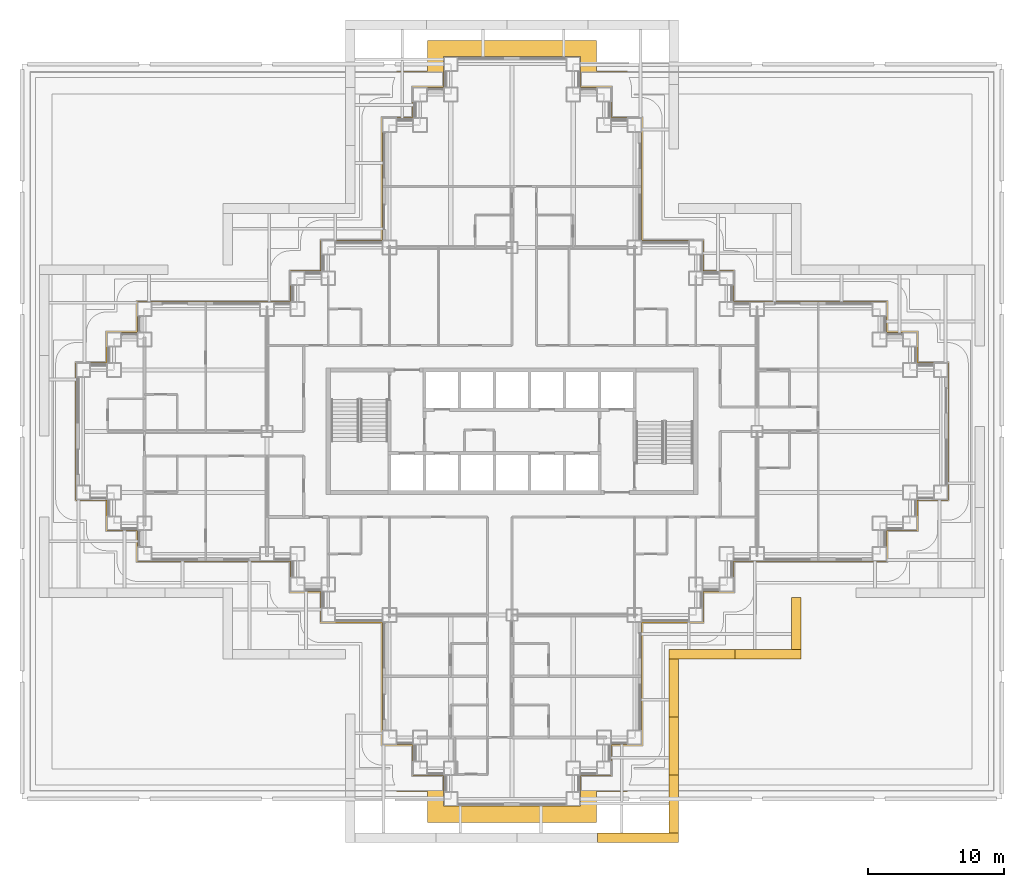
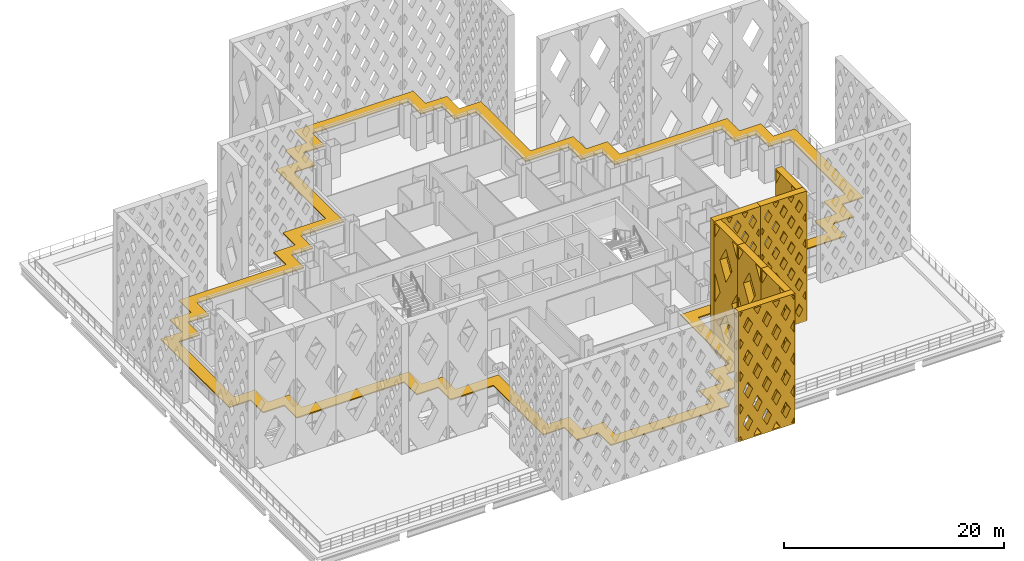
# One storey, part 19 of 26: 8 shading devices.
"""IFC4 building model written with IfcOpenShell, lengths in metres."""

from ifc_helpers import new_model, si_unit, direction, frame, origin, place, context, subcontext, project, spatial, polyline, outline, extrude, material, layer, layer_set, type_object, element, save


model = new_model("IFC4")

# Units and contexts
model_context = context("Model", 3, precision=1e-05, world=origin(), true_north=direction((0.0, 1.0)))
body_context = subcontext(model_context, "Body", "Model", "MODEL_VIEW")
ifc_project = project(units=[si_unit("LENGTHUNIT", "METRE"), si_unit("AREAUNIT", "SQUARE_METRE"), si_unit("VOLUMEUNIT", "CUBIC_METRE"), si_unit("PLANEANGLEUNIT", "RADIAN"), si_unit("MASSUNIT", "GRAM", prefix="KILO")], contexts=[model_context])

# Site, building, storey
site_placement = place(None, origin())
site = spatial("IfcSite", under=ifc_project, at=site_placement, CompositionType="ELEMENT")
building_placement = place(site_placement, origin())
building = spatial("IfcBuilding", under=site, at=building_placement, Name="Caravel Reach Hotel and Residences", CompositionType="ELEMENT")
storey_placement = place(building_placement, frame((0.0, 0.0, 33.60009765625)))
storey = spatial("IfcBuildingStorey", under=building, at=storey_placement, Name="L06", CompositionType="ELEMENT", Elevation=33.60009765625)

# Shading devices
ifc_material_1 = material(Name="Black powder-coated aluminium", Category="aluminium")
shading_device_type_1 = type_object("IfcShadingDeviceType", Name="Diamond lattice screen panel 3800 x 14400", PredefinedType="USERDEFINED", material=ifc_material_1)
shading_device_1_placement = place(storey_placement, frame((52.02490234375, 10.97509765625, 0.0), z_axis=(1.0, 0.0, 0.0), x_axis=(0.0, 1.0, 0.0)))
element("IfcShadingDevice", 1, at=shading_device_1_placement, inside=storey, type_object=shading_device_type_1, Name="Lattice screen L06-L09 5.1", ObjectType="SCREEN", PredefinedType="USERDEFINED", context=body_context, shape_type="SweptSolid", body=[
    extrude(outline(polyline([(0.0, 0.0), (3.800048828125, 0.0), (3.800048828125, 14.39990234375), (0.0, 14.39990234375), (0.0, 0.0)]), holes=[polyline([(0.9013671875, 0.14990234375), (0.14990234375, 1.573486328125), (0.14990234375, 0.14990234375), (0.9013671875, 0.14990234375)]), polyline([(0.98046875, 7.199951171875), (0.14990234375, 8.7734375), (0.14990234375, 5.62646484375), (0.98046875, 7.199951171875)]), polyline([(0.14990234375, 12.826416015625), (0.9013671875, 14.25), (0.14990234375, 14.25), (0.14990234375, 12.826416015625)]), polyline([(1.89990234375, 5.457763671875), (0.91943359375, 3.60009765625), (1.89990234375, 1.7421875), (2.88037109375, 3.60009765625), (1.89990234375, 5.457763671875)]), polyline([(1.89990234375, 12.65771484375), (0.91943359375, 10.800048828125), (1.89990234375, 8.9423828125), (2.88037109375, 10.800048828125), (1.89990234375, 12.65771484375)]), polyline([(3.64990234375, 1.573486328125), (2.898681640625, 0.14990234375), (3.64990234375, 0.14990234375), (3.64990234375, 1.573486328125)]), polyline([(2.819580078125, 7.199951171875), (3.64990234375, 5.62646484375), (3.64990234375, 8.7734375), (2.819580078125, 7.199951171875)]), polyline([(2.898681640625, 14.25), (3.64990234375, 12.826416015625), (3.64990234375, 14.25), (2.898681640625, 14.25)])]), origin(), (0.0, 0.0, 1.0), 0.7001953125),
])
ifc_material_2 = material(Name="Black powder-coated aluminium", Category="aluminium")
shading_device_type_2 = type_object("IfcShadingDeviceType", Name="Diamond lattice screen panel 4267 x 14400", PredefinedType="USERDEFINED", material=ifc_material_2)
for number, where, z_axis, x_axis, name in (
    (2, (43.02490234375, -2.52490234375, 0.0), (1.0, 0.0, 0.0), (0.0, 1.0, 0.0), "Lattice screen L06-L09 3.1"),
    (3, (43.02490234375, 1.74169921875, 0.0), (1.0, 0.0, 0.0), (0.0, 1.0, 0.0), "Lattice screen L06-L09 3.2"),
    (4, (43.02490234375, 6.00830078125, 0.0), (1.0, 0.0, 0.0), (0.0, 1.0, 0.0), "Lattice screen L06-L09 3.3"),
):
    element("IfcShadingDevice", number, at=place(storey_placement, frame(where, z_axis=z_axis, x_axis=x_axis)), inside=storey, type_object=shading_device_type_2, Name=name, ObjectType="SCREEN", PredefinedType="USERDEFINED", context=body_context, shape_type="SweptSolid", body=[
        extrude(outline(polyline([(0.0, 0.0), (4.2666015625, 0.0), (4.2666015625, 14.39990234375), (0.0, 14.39990234375), (0.0, 0.0)]), holes=[polyline([(1.003662109375, 0.14990234375), (0.14990234375, 1.590576171875), (0.14990234375, 0.14990234375), (1.003662109375, 0.14990234375)]), polyline([(1.092529296875, 7.199951171875), (0.14990234375, 8.790771484375), (0.14990234375, 5.609375), (1.092529296875, 7.199951171875)]), polyline([(0.14990234375, 12.809326171875), (1.003662109375, 14.25), (0.14990234375, 14.25), (0.14990234375, 12.809326171875)]), polyline([(2.13330078125, 5.44384765625), (1.040771484375, 3.60009765625), (2.13330078125, 1.756103515625), (3.225830078125, 3.60009765625), (2.13330078125, 5.44384765625)]), polyline([(2.13330078125, 12.643798828125), (1.040771484375, 10.800048828125), (2.13330078125, 8.956298828125), (3.225830078125, 10.800048828125), (2.13330078125, 12.643798828125)]), polyline([(4.11669921875, 1.590576171875), (3.262939453125, 0.14990234375), (4.11669921875, 0.14990234375), (4.11669921875, 1.590576171875)]), polyline([(3.174072265625, 7.199951171875), (4.11669921875, 5.609375), (4.11669921875, 8.790771484375), (3.174072265625, 7.199951171875)]), polyline([(3.262939453125, 14.25), (4.11669921875, 12.809326171875), (4.11669921875, 14.25), (3.262939453125, 14.25)])]), origin(), (0.0, 0.0, 1.0), 0.7001953125),
    ])
ifc_material_3 = material(Name="Black powder-coated aluminium", Category="aluminium")
shading_device_type_3 = type_object("IfcShadingDeviceType", Name="Diamond lattice screen panel 4850 x 14400", PredefinedType="USERDEFINED", material=ifc_material_3)
shading_device_2_placement = place(storey_placement, frame((43.02490234375, 10.97509765625, 0.0), z_axis=(0.0, -1.0, 0.0), x_axis=(1.0, 0.0, 0.0)))
element("IfcShadingDevice", 5, at=shading_device_2_placement, inside=storey, type_object=shading_device_type_3, Name="Lattice screen L06-L09 4.1", ObjectType="SCREEN", PredefinedType="USERDEFINED", context=body_context, shape_type="SweptSolid", body=[
    extrude(outline(polyline([(0.0, 0.0), (4.85009765625, 0.0), (4.85009765625, 14.39990234375), (0.0, 14.39990234375), (0.0, 0.0)]), holes=[polyline([(0.408447265625, 2.8798828125), (0.14990234375, 3.34033203125), (0.14990234375, 2.419677734375), (0.408447265625, 2.8798828125)]), polyline([(0.408447265625, 5.760009765625), (0.14990234375, 6.22021484375), (0.14990234375, 5.2998046875), (0.408447265625, 5.760009765625)]), polyline([(0.408447265625, 8.639892578125), (0.14990234375, 9.100341796875), (0.14990234375, 8.1796875), (0.408447265625, 8.639892578125)]), polyline([(0.408447265625, 11.52001953125), (0.14990234375, 11.980224609375), (0.14990234375, 11.059814453125), (0.408447265625, 11.52001953125)]), polyline([(0.808349609375, 2.16748046875), (0.39990234375, 1.43994140625), (0.808349609375, 0.712646484375), (1.216796875, 1.43994140625), (0.808349609375, 2.16748046875)]), polyline([(0.808349609375, 5.04736328125), (0.39990234375, 4.320068359375), (0.808349609375, 3.592529296875), (1.216796875, 4.320068359375), (0.808349609375, 5.04736328125)]), polyline([(0.808349609375, 7.927490234375), (0.39990234375, 7.199951171875), (0.808349609375, 6.47265625), (1.216796875, 7.199951171875), (0.808349609375, 7.927490234375)]), polyline([(0.808349609375, 10.807373046875), (0.39990234375, 10.080078125), (0.808349609375, 9.3525390625), (1.216796875, 10.080078125), (0.808349609375, 10.807373046875)]), polyline([(0.808349609375, 13.6875), (0.39990234375, 12.9599609375), (0.808349609375, 12.232421875), (1.216796875, 12.9599609375), (0.808349609375, 13.6875)]), polyline([(1.61669921875, 0.7275390625), (1.29248046875, 0.14990234375), (1.94091796875, 0.14990234375), (1.61669921875, 0.7275390625)]), polyline([(1.61669921875, 3.607421875), (1.208251953125, 2.8798828125), (1.61669921875, 2.152587890625), (2.02490234375, 2.8798828125), (1.61669921875, 3.607421875)]), polyline([(1.61669921875, 6.487548828125), (1.208251953125, 5.760009765625), (1.61669921875, 5.032470703125), (2.02490234375, 5.760009765625), (1.61669921875, 6.487548828125)]), polyline([(1.61669921875, 9.367431640625), (1.208251953125, 8.639892578125), (1.61669921875, 7.91259765625), (2.02490234375, 8.639892578125), (1.61669921875, 9.367431640625)]), polyline([(1.61669921875, 12.24755859375), (1.208251953125, 11.52001953125), (1.61669921875, 10.79248046875), (2.02490234375, 11.52001953125), (1.61669921875, 12.24755859375)]), polyline([(1.61669921875, 13.672607421875), (1.94091796875, 14.25), (1.29248046875, 14.25), (1.61669921875, 13.672607421875)]), polyline([(2.425048828125, 2.16748046875), (2.0166015625, 1.43994140625), (2.425048828125, 0.712646484375), (2.833251953125, 1.43994140625), (2.425048828125, 2.16748046875)]), polyline([(2.425048828125, 5.04736328125), (2.0166015625, 4.320068359375), (2.425048828125, 3.592529296875), (2.833251953125, 4.320068359375), (2.425048828125, 5.04736328125)]), polyline([(2.425048828125, 7.927490234375), (2.0166015625, 7.199951171875), (2.425048828125, 6.47265625), (2.833251953125, 7.199951171875), (2.425048828125, 7.927490234375)]), polyline([(2.425048828125, 10.807373046875), (2.0166015625, 10.080078125), (2.425048828125, 9.3525390625), (2.833251953125, 10.080078125), (2.425048828125, 10.807373046875)]), polyline([(2.425048828125, 13.6875), (2.0166015625, 12.9599609375), (2.425048828125, 12.232421875), (2.833251953125, 12.9599609375), (2.425048828125, 13.6875)]), polyline([(3.2333984375, 0.7275390625), (2.9091796875, 0.14990234375), (3.557373046875, 0.14990234375), (3.2333984375, 0.7275390625)]), polyline([(3.2333984375, 3.607421875), (2.824951171875, 2.8798828125), (3.2333984375, 2.152587890625), (3.6416015625, 2.8798828125), (3.2333984375, 3.607421875)]), polyline([(3.2333984375, 6.487548828125), (2.824951171875, 5.760009765625), (3.2333984375, 5.032470703125), (3.6416015625, 5.760009765625), (3.2333984375, 6.487548828125)]), polyline([(3.2333984375, 9.367431640625), (2.824951171875, 8.639892578125), (3.2333984375, 7.91259765625), (3.6416015625, 8.639892578125), (3.2333984375, 9.367431640625)]), polyline([(3.2333984375, 12.24755859375), (2.824951171875, 11.52001953125), (3.2333984375, 10.79248046875), (3.6416015625, 11.52001953125), (3.2333984375, 12.24755859375)]), polyline([(3.2333984375, 13.672607421875), (3.557373046875, 14.25), (2.9091796875, 14.25), (3.2333984375, 13.672607421875)]), polyline([(4.041748046875, 2.16748046875), (3.63330078125, 1.43994140625), (4.041748046875, 0.712646484375), (4.449951171875, 1.43994140625), (4.041748046875, 2.16748046875)]), polyline([(4.041748046875, 5.04736328125), (3.63330078125, 4.320068359375), (4.041748046875, 3.592529296875), (4.449951171875, 4.320068359375), (4.041748046875, 5.04736328125)]), polyline([(4.041748046875, 7.927490234375), (3.63330078125, 7.199951171875), (4.041748046875, 6.47265625), (4.449951171875, 7.199951171875), (4.041748046875, 7.927490234375)]), polyline([(4.041748046875, 10.807373046875), (3.63330078125, 10.080078125), (4.041748046875, 9.3525390625), (4.449951171875, 10.080078125), (4.041748046875, 10.807373046875)]), polyline([(4.041748046875, 13.6875), (3.63330078125, 12.9599609375), (4.041748046875, 12.232421875), (4.449951171875, 12.9599609375), (4.041748046875, 13.6875)]), polyline([(4.441650390625, 2.8798828125), (4.699951171875, 2.419677734375), (4.699951171875, 3.34033203125), (4.441650390625, 2.8798828125)]), polyline([(4.441650390625, 5.760009765625), (4.699951171875, 5.2998046875), (4.699951171875, 6.22021484375), (4.441650390625, 5.760009765625)]), polyline([(4.441650390625, 8.639892578125), (4.699951171875, 8.1796875), (4.699951171875, 9.100341796875), (4.441650390625, 8.639892578125)]), polyline([(4.441650390625, 11.52001953125), (4.699951171875, 11.059814453125), (4.699951171875, 11.980224609375), (4.441650390625, 11.52001953125)])]), origin(), (0.0, 0.0, 1.0), 0.7001953125),
])
shading_device_3_placement = place(storey_placement, frame((47.875, 10.97509765625, 0.0), z_axis=(0.0, -1.0, 0.0), x_axis=(1.0, 0.0, 0.0)))
element("IfcShadingDevice", 6, at=shading_device_3_placement, inside=storey, type_object=shading_device_type_3, Name="Lattice screen L06-L09 4.2", ObjectType="SCREEN", PredefinedType="USERDEFINED", context=body_context, shape_type="SweptSolid", body=[
    extrude(outline(polyline([(0.0, 0.0), (4.85009765625, 0.0), (4.85009765625, 14.39990234375), (0.0, 14.39990234375), (0.0, 0.0)]), holes=[polyline([(0.408447265625, 2.8798828125), (0.14990234375, 3.34033203125), (0.14990234375, 2.419677734375), (0.408447265625, 2.8798828125)]), polyline([(0.408447265625, 5.760009765625), (0.14990234375, 6.22021484375), (0.14990234375, 5.2998046875), (0.408447265625, 5.760009765625)]), polyline([(0.408447265625, 8.639892578125), (0.14990234375, 9.100341796875), (0.14990234375, 8.1796875), (0.408447265625, 8.639892578125)]), polyline([(0.408447265625, 11.52001953125), (0.14990234375, 11.980224609375), (0.14990234375, 11.059814453125), (0.408447265625, 11.52001953125)]), polyline([(0.808349609375, 2.16748046875), (0.39990234375, 1.43994140625), (0.808349609375, 0.712646484375), (1.216796875, 1.43994140625), (0.808349609375, 2.16748046875)]), polyline([(0.808349609375, 5.04736328125), (0.39990234375, 4.320068359375), (0.808349609375, 3.592529296875), (1.216796875, 4.320068359375), (0.808349609375, 5.04736328125)]), polyline([(0.808349609375, 7.927490234375), (0.39990234375, 7.199951171875), (0.808349609375, 6.47265625), (1.216796875, 7.199951171875), (0.808349609375, 7.927490234375)]), polyline([(0.808349609375, 10.807373046875), (0.39990234375, 10.080078125), (0.808349609375, 9.3525390625), (1.216796875, 10.080078125), (0.808349609375, 10.807373046875)]), polyline([(0.808349609375, 13.6875), (0.39990234375, 12.9599609375), (0.808349609375, 12.232421875), (1.216796875, 12.9599609375), (0.808349609375, 13.6875)]), polyline([(1.61669921875, 0.7275390625), (1.29248046875, 0.14990234375), (1.94091796875, 0.14990234375), (1.61669921875, 0.7275390625)]), polyline([(1.61669921875, 3.607421875), (1.208251953125, 2.8798828125), (1.61669921875, 2.152587890625), (2.02490234375, 2.8798828125), (1.61669921875, 3.607421875)]), polyline([(1.61669921875, 6.487548828125), (1.208251953125, 5.760009765625), (1.61669921875, 5.032470703125), (2.02490234375, 5.760009765625), (1.61669921875, 6.487548828125)]), polyline([(1.61669921875, 9.367431640625), (1.208251953125, 8.639892578125), (1.61669921875, 7.91259765625), (2.02490234375, 8.639892578125), (1.61669921875, 9.367431640625)]), polyline([(1.61669921875, 12.24755859375), (1.208251953125, 11.52001953125), (1.61669921875, 10.79248046875), (2.02490234375, 11.52001953125), (1.61669921875, 12.24755859375)]), polyline([(1.61669921875, 13.672607421875), (1.94091796875, 14.25), (1.29248046875, 14.25), (1.61669921875, 13.672607421875)]), polyline([(2.425048828125, 2.16748046875), (2.0166015625, 1.43994140625), (2.425048828125, 0.712646484375), (2.833251953125, 1.43994140625), (2.425048828125, 2.16748046875)]), polyline([(2.425048828125, 5.04736328125), (2.0166015625, 4.320068359375), (2.425048828125, 3.592529296875), (2.833251953125, 4.320068359375), (2.425048828125, 5.04736328125)]), polyline([(2.425048828125, 7.927490234375), (2.0166015625, 7.199951171875), (2.425048828125, 6.47265625), (2.833251953125, 7.199951171875), (2.425048828125, 7.927490234375)]), polyline([(2.425048828125, 10.807373046875), (2.0166015625, 10.080078125), (2.425048828125, 9.3525390625), (2.833251953125, 10.080078125), (2.425048828125, 10.807373046875)]), polyline([(2.425048828125, 13.6875), (2.0166015625, 12.9599609375), (2.425048828125, 12.232421875), (2.833251953125, 12.9599609375), (2.425048828125, 13.6875)]), polyline([(3.2333984375, 0.7275390625), (2.9091796875, 0.14990234375), (3.557373046875, 0.14990234375), (3.2333984375, 0.7275390625)]), polyline([(3.2333984375, 3.607421875), (2.824951171875, 2.8798828125), (3.2333984375, 2.152587890625), (3.6416015625, 2.8798828125), (3.2333984375, 3.607421875)]), polyline([(3.2333984375, 6.487548828125), (2.824951171875, 5.760009765625), (3.2333984375, 5.032470703125), (3.6416015625, 5.760009765625), (3.2333984375, 6.487548828125)]), polyline([(3.2333984375, 9.367431640625), (2.824951171875, 8.639892578125), (3.2333984375, 7.91259765625), (3.6416015625, 8.639892578125), (3.2333984375, 9.367431640625)]), polyline([(3.2333984375, 12.24755859375), (2.824951171875, 11.52001953125), (3.2333984375, 10.79248046875), (3.6416015625, 11.52001953125), (3.2333984375, 12.24755859375)]), polyline([(3.2333984375, 13.672607421875), (3.557373046875, 14.25), (2.9091796875, 14.25), (3.2333984375, 13.672607421875)]), polyline([(4.041748046875, 2.16748046875), (3.63330078125, 1.43994140625), (4.041748046875, 0.712646484375), (4.449951171875, 1.43994140625), (4.041748046875, 2.16748046875)]), polyline([(4.041748046875, 5.04736328125), (3.63330078125, 4.320068359375), (4.041748046875, 3.592529296875), (4.449951171875, 4.320068359375), (4.041748046875, 5.04736328125)]), polyline([(4.041748046875, 7.927490234375), (3.63330078125, 7.199951171875), (4.041748046875, 6.47265625), (4.449951171875, 7.199951171875), (4.041748046875, 7.927490234375)]), polyline([(4.041748046875, 10.807373046875), (3.63330078125, 10.080078125), (4.041748046875, 9.3525390625), (4.449951171875, 10.080078125), (4.041748046875, 10.807373046875)]), polyline([(4.041748046875, 13.6875), (3.63330078125, 12.9599609375), (4.041748046875, 12.232421875), (4.449951171875, 12.9599609375), (4.041748046875, 13.6875)]), polyline([(4.441650390625, 2.8798828125), (4.699951171875, 2.419677734375), (4.699951171875, 3.34033203125), (4.441650390625, 2.8798828125)]), polyline([(4.441650390625, 5.760009765625), (4.699951171875, 5.2998046875), (4.699951171875, 6.22021484375), (4.441650390625, 5.760009765625)]), polyline([(4.441650390625, 8.639892578125), (4.699951171875, 8.1796875), (4.699951171875, 9.100341796875), (4.441650390625, 8.639892578125)]), polyline([(4.441650390625, 11.52001953125), (4.699951171875, 11.059814453125), (4.699951171875, 11.980224609375), (4.441650390625, 11.52001953125)])]), origin(), (0.0, 0.0, 1.0), 0.7001953125),
])
ifc_material_4 = material(Name="Black powder-coated aluminium", Category="aluminium")
shading_device_type_4 = type_object("IfcShadingDeviceType", Name="Diamond lattice screen panel 5937 x 14400", PredefinedType="USERDEFINED", material=ifc_material_4)
shading_device_4_placement = place(storey_placement, frame((37.78759765625, -2.52490234375, 0.0), z_axis=(0.0, -1.0, 0.0), x_axis=(1.0, 0.0, 0.0)))
element("IfcShadingDevice", 7, at=shading_device_4_placement, inside=storey, type_object=shading_device_type_4, Name="Lattice screen L06-L09 2.4", ObjectType="SCREEN", PredefinedType="USERDEFINED", context=body_context, shape_type="SweptSolid", body=[
    extrude(outline(polyline([(0.0, 0.0), (5.9375, 0.0), (5.9375, 14.39990234375), (0.0, 14.39990234375), (0.0, 0.0)]), holes=[polyline([(0.412353515625, 0.14990234375), (0.14990234375, 0.626953125), (0.14990234375, 0.14990234375), (0.412353515625, 0.14990234375)]), polyline([(0.49462890625, 3.60009765625), (0.14990234375, 4.22705078125), (0.14990234375, 2.972900390625), (0.49462890625, 3.60009765625)]), polyline([(0.49462890625, 7.199951171875), (0.14990234375, 7.826904296875), (0.14990234375, 6.572998046875), (0.49462890625, 7.199951171875)]), polyline([(0.49462890625, 10.800048828125), (0.14990234375, 11.427001953125), (0.14990234375, 10.173095703125), (0.49462890625, 10.800048828125)]), polyline([(0.14990234375, 13.77294921875), (0.412353515625, 14.25), (0.14990234375, 14.25), (0.14990234375, 13.77294921875)]), polyline([(0.989501953125, 2.699951171875), (0.494873046875, 1.800048828125), (0.989501953125, 0.900146484375), (1.484375, 1.800048828125), (0.989501953125, 2.699951171875)]), polyline([(0.989501953125, 6.2998046875), (0.494873046875, 5.39990234375), (0.989501953125, 4.500244140625), (1.484375, 5.39990234375), (0.989501953125, 6.2998046875)]), polyline([(0.989501953125, 9.89990234375), (0.494873046875, 9.0), (0.989501953125, 8.10009765625), (1.484375, 9.0), (0.989501953125, 9.89990234375)]), polyline([(0.989501953125, 13.499755859375), (0.494873046875, 12.60009765625), (0.989501953125, 11.7001953125), (1.484375, 12.60009765625), (0.989501953125, 13.499755859375)]), polyline([(1.979248046875, 0.89990234375), (1.56689453125, 0.14990234375), (2.391357421875, 0.14990234375), (1.979248046875, 0.89990234375)]), polyline([(1.979248046875, 4.499755859375), (1.484375, 3.60009765625), (1.979248046875, 2.7001953125), (2.473876953125, 3.60009765625), (1.979248046875, 4.499755859375)]), polyline([(1.979248046875, 8.099853515625), (1.484375, 7.199951171875), (1.979248046875, 6.300048828125), (2.473876953125, 7.199951171875), (1.979248046875, 8.099853515625)]), polyline([(1.979248046875, 11.699951171875), (1.484375, 10.800048828125), (1.979248046875, 9.900146484375), (2.473876953125, 10.800048828125), (1.979248046875, 11.699951171875)]), polyline([(1.979248046875, 13.500244140625), (2.391357421875, 14.25), (1.56689453125, 14.25), (1.979248046875, 13.500244140625)]), polyline([(2.96875, 2.699951171875), (2.47412109375, 1.800048828125), (2.96875, 0.900146484375), (3.46337890625, 1.800048828125), (2.96875, 2.699951171875)]), polyline([(2.96875, 6.2998046875), (2.47412109375, 5.39990234375), (2.96875, 4.500244140625), (3.46337890625, 5.39990234375), (2.96875, 6.2998046875)]), polyline([(2.96875, 9.89990234375), (2.47412109375, 9.0), (2.96875, 8.10009765625), (3.46337890625, 9.0), (2.96875, 9.89990234375)]), polyline([(2.96875, 13.499755859375), (2.47412109375, 12.60009765625), (2.96875, 11.7001953125), (3.46337890625, 12.60009765625), (2.96875, 13.499755859375)]), polyline([(3.958251953125, 0.89990234375), (3.546142578125, 0.14990234375), (4.37060546875, 0.14990234375), (3.958251953125, 0.89990234375)]), polyline([(3.958251953125, 4.499755859375), (3.463623046875, 3.60009765625), (3.958251953125, 2.7001953125), (4.453125, 3.60009765625), (3.958251953125, 4.499755859375)]), polyline([(3.958251953125, 8.099853515625), (3.463623046875, 7.199951171875), (3.958251953125, 6.300048828125), (4.453125, 7.199951171875), (3.958251953125, 8.099853515625)]), polyline([(3.958251953125, 11.699951171875), (3.463623046875, 10.800048828125), (3.958251953125, 9.900146484375), (4.453125, 10.800048828125), (3.958251953125, 11.699951171875)]), polyline([(3.958251953125, 13.500244140625), (4.37060546875, 14.25), (3.546142578125, 14.25), (3.958251953125, 13.500244140625)]), polyline([(4.947998046875, 2.699951171875), (4.453125, 1.800048828125), (4.947998046875, 0.900146484375), (5.442626953125, 1.800048828125), (4.947998046875, 2.699951171875)]), polyline([(4.947998046875, 6.2998046875), (4.453125, 5.39990234375), (4.947998046875, 4.500244140625), (5.442626953125, 5.39990234375), (4.947998046875, 6.2998046875)]), polyline([(4.947998046875, 9.89990234375), (4.453125, 9.0), (4.947998046875, 8.10009765625), (5.442626953125, 9.0), (4.947998046875, 9.89990234375)]), polyline([(4.947998046875, 13.499755859375), (4.453125, 12.60009765625), (4.947998046875, 11.7001953125), (5.442626953125, 12.60009765625), (4.947998046875, 13.499755859375)]), polyline([(5.78759765625, 0.626953125), (5.525146484375, 0.14990234375), (5.78759765625, 0.14990234375), (5.78759765625, 0.626953125)]), polyline([(5.44287109375, 3.60009765625), (5.78759765625, 2.972900390625), (5.78759765625, 4.22705078125), (5.44287109375, 3.60009765625)]), polyline([(5.44287109375, 7.199951171875), (5.78759765625, 6.572998046875), (5.78759765625, 7.826904296875), (5.44287109375, 7.199951171875)]), polyline([(5.44287109375, 10.800048828125), (5.78759765625, 10.173095703125), (5.78759765625, 11.427001953125), (5.44287109375, 10.800048828125)]), polyline([(5.525146484375, 14.25), (5.78759765625, 13.77294921875), (5.78759765625, 14.25), (5.525146484375, 14.25)])]), origin(), (0.0, 0.0, 1.0), 0.7001953125),
])
ifc_material_5 = material(Name="Black powder-coated aluminium", Category="aluminium")
ifc_layer = layer(ifc_material_5, 0.1201171875)
ifc_layer_set = layer_set([ifc_layer], Name="SS1 Sunshade band 1200")
shading_device_type_5 = type_object("IfcShadingDeviceType", Name="SS1 Sunshade band 1200", PredefinedType="USERDEFINED", material=ifc_layer_set)
shading_device_5_placement = place(storey_placement, frame((0.0, 0.0, 3.039794921875)))
element("IfcShadingDevice", 8, at=shading_device_5_placement, inside=storey, type_object=shading_device_type_5, Name="Sunshade L06 1", ObjectType="SUNSHADE", PredefinedType="USERDEFINED", context=body_context, shape_type="SweptSolid", body=[
    extrude(outline(polyline([(20.77490234375, 11.77490234375), (20.77490234375, 2.77490234375), (23.02490234375, 2.77490234375), (23.02490234375, 0.52490234375), (25.27490234375, 0.52490234375), (25.27490234375, -1.72509765625), (37.72509765625, -1.72509765625), (37.72509765625, 0.52490234375), (39.97509765625, 0.52490234375), (39.97509765625, 2.77490234375), (42.22509765625, 2.77490234375), (42.22509765625, 11.77490234375), (46.72509765625, 11.77490234375), (46.72509765625, 14.02490234375), (48.97509765625, 14.02490234375), (48.97509765625, 16.27490234375), (60.22509765625, 16.27490234375), (60.22509765625, 18.52490234375), (62.47509765625, 18.52490234375), (62.47509765625, 20.77490234375), (64.72509765625, 20.77490234375), (64.72509765625, 33.22509765625), (62.47509765625, 33.22509765625), (62.47509765625, 35.47509765625), (60.22509765625, 35.47509765625), (60.22509765625, 37.72509765625), (48.97509765625, 37.72509765625), (48.97509765625, 39.97509765625), (46.72509765625, 39.97509765625), (46.72509765625, 42.22509765625), (42.22509765625, 42.22509765625), (42.22509765625, 51.22509765625), (39.97509765625, 51.22509765625), (39.97509765625, 53.47509765625), (37.72509765625, 53.47509765625), (37.72509765625, 55.72509765625), (25.27490234375, 55.72509765625), (25.27490234375, 53.47509765625), (23.02490234375, 53.47509765625), (23.02490234375, 51.22509765625), (20.77490234375, 51.22509765625), (20.77490234375, 42.22509765625), (16.27490234375, 42.22509765625), (16.27490234375, 39.97509765625), (14.02490234375, 39.97509765625), (14.02490234375, 37.72509765625), (2.77490234375, 37.72509765625), (2.77490234375, 35.47509765625), (0.52490234375, 35.47509765625), (0.52490234375, 33.22509765625), (-1.72509765625, 33.22509765625), (-1.72509765625, 20.77490234375), (0.52490234375, 20.77490234375), (0.52490234375, 18.52490234375), (2.77490234375, 18.52490234375), (2.77490234375, 16.27490234375), (14.02490234375, 16.27490234375), (14.02490234375, 14.02490234375), (16.27490234375, 14.02490234375), (16.27490234375, 11.77490234375), (20.77490234375, 11.77490234375)]), holes=[polyline([(24.22509765625, 3.97509765625), (21.97509765625, 3.97509765625), (21.97509765625, 12.97509765625), (17.47509765625, 12.97509765625), (17.47509765625, 15.22509765625), (15.22509765625, 15.22509765625), (15.22509765625, 17.47509765625), (3.97509765625, 17.47509765625), (3.97509765625, 19.72509765625), (1.72509765625, 19.72509765625), (1.72509765625, 21.97509765625), (-0.52490234375, 21.97509765625), (-0.52490234375, 32.02490234375), (1.72509765625, 32.02490234375), (1.72509765625, 34.27490234375), (3.97509765625, 34.27490234375), (3.97509765625, 36.52490234375), (15.22509765625, 36.52490234375), (15.22509765625, 38.77490234375), (17.47509765625, 38.77490234375), (17.47509765625, 41.02490234375), (21.97509765625, 41.02490234375), (21.97509765625, 50.02490234375), (24.22509765625, 50.02490234375), (24.22509765625, 52.27490234375), (26.47509765625, 52.27490234375), (26.47509765625, 54.52490234375), (36.52490234375, 54.52490234375), (36.52490234375, 52.27490234375), (38.77490234375, 52.27490234375), (38.77490234375, 50.02490234375), (41.02490234375, 50.02490234375), (41.02490234375, 41.02490234375), (45.52490234375, 41.02490234375), (45.52490234375, 38.77490234375), (47.77490234375, 38.77490234375), (47.77490234375, 36.52490234375), (59.02490234375, 36.52490234375), (59.02490234375, 34.27490234375), (61.27490234375, 34.27490234375), (61.27490234375, 32.02490234375), (63.52490234375, 32.02490234375), (63.52490234375, 21.97509765625), (61.27490234375, 21.97509765625), (61.27490234375, 19.72509765625), (59.02490234375, 19.72509765625), (59.02490234375, 17.47509765625), (47.77490234375, 17.47509765625), (47.77490234375, 15.22509765625), (45.52490234375, 15.22509765625), (45.52490234375, 12.97509765625), (41.02490234375, 12.97509765625), (41.02490234375, 3.97509765625), (38.77490234375, 3.97509765625), (38.77490234375, 1.72509765625), (36.52490234375, 1.72509765625), (36.52490234375, -0.52490234375), (26.47509765625, -0.52490234375), (26.47509765625, 1.72509765625), (24.22509765625, 1.72509765625), (24.22509765625, 3.97509765625)])]), origin(), (0.0, 0.0, 1.0), 0.1201171875),
])

save(model, "model.ifc")
